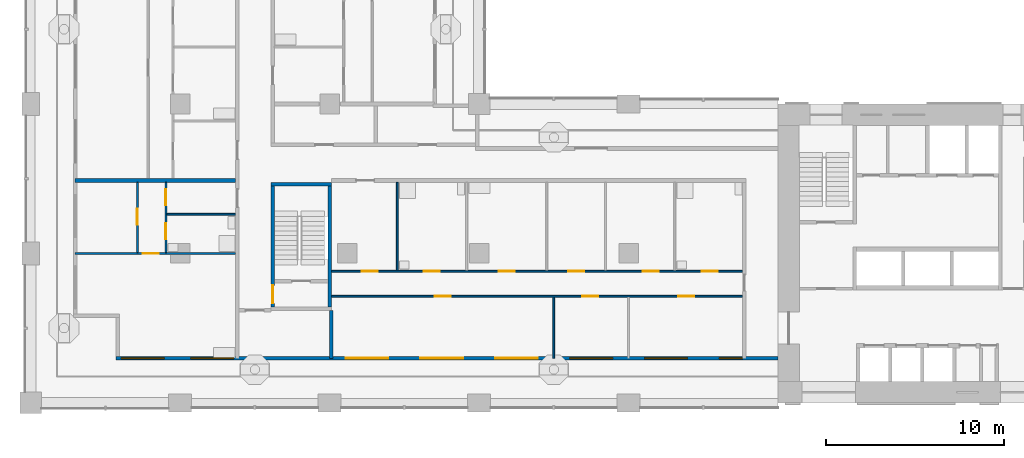
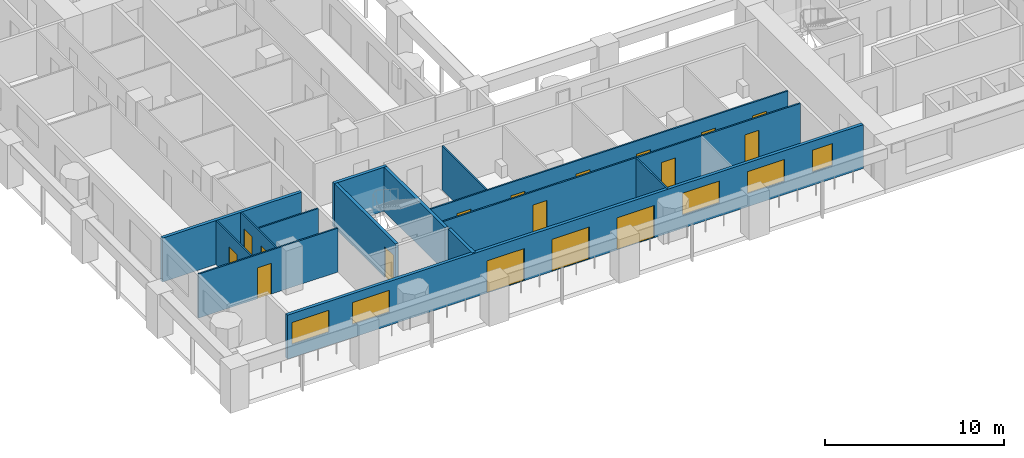
# One storey, part 2 of 18: 17 doors, 14 walls, 5 windows, 22 openings.
"""IFC4 building model written with IfcOpenShell, lengths in metres."""

from ifc_helpers import new_model, si_unit, direction, frame, frame_2d, origin, place, context, subcontext, project, spatial, rectangle, extrude, material, layer, layer_set, type_object, element, fill, save


model = new_model("IFC4")

# Units and contexts
model_context = context("Model", 3, precision=1e-05, world=origin(), true_north=direction((0.0, 1.0)))
body_context = subcontext(model_context, "Body", "Model", "MODEL_VIEW")
ifc_project = project(units=[si_unit("LENGTHUNIT", "METRE"), si_unit("AREAUNIT", "SQUARE_METRE"), si_unit("VOLUMEUNIT", "CUBIC_METRE"), si_unit("PLANEANGLEUNIT", "RADIAN"), si_unit("MASSUNIT", "GRAM", prefix="KILO")], contexts=[model_context])

# Site, building, storey
site_placement = place(None, origin())
site = spatial("IfcSite", under=ifc_project, at=site_placement, CompositionType="ELEMENT")
building_placement = place(site_placement, origin())
building = spatial("IfcBuilding", under=site, at=building_placement, Name="Vermilion Gate Residences", CompositionType="ELEMENT")
storey_placement = place(building_placement, frame((0.0, 0.0, 137.199951171875)))
storey = spatial("IfcBuildingStorey", under=building, at=storey_placement, Name="L35", CompositionType="ELEMENT", Elevation=137.199951171875)

# Wall, openings, doors, windows
ifc_material_1 = material(Name="Insulated steel stud wall with terracotta rainscreen", Category="masonry")
ifc_layer_1 = layer(ifc_material_1, 0.199951171875)
ifc_layer_set_1 = layer_set([ifc_layer_1], Name="EXTERNAL WALL 200 TERRACOTTA RAINSCREEN")
wall_type_1 = type_object("IfcWallType", Name="EXTERNAL WALL 200 TERRACOTTA RAINSCREEN", PredefinedType="SOLIDWALL", material=ifc_layer_set_1)
wall_1_placement = place(storey_placement, frame((4.800048828125, 10.89990234375, 0.0), z_axis=(0.0, 0.0, 1.0), x_axis=(1.0, 0.0, 0.0)))
wall_1 = element("IfcWall", 1, at=wall_1_placement, inside=storey, type_object=wall_type_1, Name="External wall", PredefinedType="SOLIDWALL", context=body_context, shape_type="SweptSolid", body=[
    extrude(rectangle(XDim=37.199951171875, YDim=0.199951171875, at=frame_2d((18.60009765625, 0.0))), origin(), (0.0, 0.0, 1.0), 3.0),
])
opening_1_placement = place(wall_1_placement, frame((0.300048828125, 0.0, 0.89990234375)))
opening_1 = element("IfcOpeningElement", 2, at=opening_1_placement, cuts=wall_1, Name="Opening WE35012", PredefinedType="OPENING", context=body_context, shape_type="SweptSolid", body=[
    extrude(rectangle(XDim=2.39990234375, YDim=1.5, at=frame_2d((1.199951171875, 0.75))), frame((0.0, 0.10986328125, 0.0), z_axis=(0.0, -1.0, 0.0), x_axis=(1.0, 0.0, 0.0)), (0.0, 0.0, 1.0), 0.219970703125),
])
opening_2_placement = place(wall_1_placement, frame((4.199951171875, 0.0, 0.89990234375)))
opening_2 = element("IfcOpeningElement", 3, at=opening_2_placement, cuts=wall_1, Name="Opening WE35013", PredefinedType="OPENING", context=body_context, shape_type="SweptSolid", body=[
    extrude(rectangle(XDim=2.39990234375, YDim=1.5, at=frame_2d((1.199951171875, 0.75))), frame((0.0, 0.10986328125, 0.0), z_axis=(0.0, -1.0, 0.0), x_axis=(1.0, 0.0, 0.0)), (0.0, 0.0, 1.0), 0.219970703125),
])
opening_3_placement = place(wall_1_placement, frame((12.89990234375, 0.0, 0.0)))
opening_3 = element("IfcOpeningElement", 4, at=opening_3_placement, cuts=wall_1, Name="Opening DE35014", PredefinedType="OPENING", context=body_context, shape_type="SweptSolid", body=[
    extrude(rectangle(XDim=2.39990234375, YDim=2.199951171875, at=frame_2d((1.199951171875, 1.10009765625))), frame((0.0, 0.10986328125, 0.0), z_axis=(0.0, -1.0, 0.0), x_axis=(1.0, 0.0, 0.0)), (0.0, 0.0, 1.0), 0.219970703125),
])
opening_4_placement = place(wall_1_placement, frame((17.10009765625, 0.0, 0.0)))
opening_4 = element("IfcOpeningElement", 5, at=opening_4_placement, cuts=wall_1, Name="Opening DE35015", PredefinedType="OPENING", context=body_context, shape_type="SweptSolid", body=[
    extrude(rectangle(XDim=2.39990234375, YDim=2.199951171875, at=frame_2d((1.199951171875, 1.10009765625))), frame((0.0, 0.10986328125, 0.0), z_axis=(0.0, -1.0, 0.0), x_axis=(1.0, 0.0, 0.0)), (0.0, 0.0, 1.0), 0.219970703125),
])
opening_5_placement = place(wall_1_placement, frame((21.300048828125, 0.0, 0.0)))
opening_5 = element("IfcOpeningElement", 6, at=opening_5_placement, cuts=wall_1, Name="Opening DE35016", PredefinedType="OPENING", context=body_context, shape_type="SweptSolid", body=[
    extrude(rectangle(XDim=2.39990234375, YDim=2.199951171875, at=frame_2d((1.199951171875, 1.10009765625))), frame((0.0, 0.10986328125, 0.0), z_axis=(0.0, -1.0, 0.0), x_axis=(1.0, 0.0, 0.0)), (0.0, 0.0, 1.0), 0.219970703125),
])
opening_6_placement = place(wall_1_placement, frame((25.5, 0.0, 0.89990234375)))
opening_6 = element("IfcOpeningElement", 7, at=opening_6_placement, cuts=wall_1, Name="Opening WE35017", PredefinedType="OPENING", context=body_context, shape_type="SweptSolid", body=[
    extrude(rectangle(XDim=2.39990234375, YDim=1.5, at=frame_2d((1.199951171875, 0.75))), frame((0.0, 0.10986328125, 0.0), z_axis=(0.0, -1.0, 0.0), x_axis=(1.0, 0.0, 0.0)), (0.0, 0.0, 1.0), 0.219970703125),
])
opening_7_placement = place(wall_1_placement, frame((29.699951171875, 0.0, 0.89990234375)))
opening_7 = element("IfcOpeningElement", 8, at=opening_7_placement, cuts=wall_1, Name="Opening WE35018", PredefinedType="OPENING", context=body_context, shape_type="SweptSolid", body=[
    extrude(rectangle(XDim=2.39990234375, YDim=1.5, at=frame_2d((1.199951171875, 0.75))), frame((0.0, 0.10986328125, 0.0), z_axis=(0.0, -1.0, 0.0), x_axis=(1.0, 0.0, 0.0)), (0.0, 0.0, 1.0), 0.219970703125),
])
opening_8_placement = place(wall_1_placement, frame((33.89990234375, 0.0, 0.89990234375)))
opening_8 = element("IfcOpeningElement", 9, at=opening_8_placement, cuts=wall_1, Name="Opening WE35019", PredefinedType="OPENING", context=body_context, shape_type="SweptSolid", body=[
    extrude(rectangle(XDim=1.300048828125, YDim=1.5, at=frame_2d((0.64990234375, 0.75))), frame((0.0, 0.10986328125, 0.0), z_axis=(0.0, -1.0, 0.0), x_axis=(1.0, 0.0, 0.0)), (0.0, 0.0, 1.0), 0.219970703125),
])
ifc_material_2 = material(Name="Aluminium and clear glass", Category="aluminium")
door_type_1 = type_object("IfcDoorType", Name="SLIDING GLAZED DOOR 2400 X 2200", OperationType="DOUBLE_DOOR_SLIDING", PredefinedType="DOOR", material=ifc_material_2)
door_1_placement = place(opening_3_placement, origin())
door_1 = element("IfcDoor", 10, at=door_1_placement, inside=storey, type_object=door_type_1, Name="Loggia sliding door", OperationType="DOUBLE_DOOR_SLIDING", OverallHeight=2.199951171875, OverallWidth=2.39990234375, PredefinedType="DOOR", context=body_context, shape_type="SweptSolid", body=[
    extrude(rectangle(XDim=2.39990234375, YDim=2.199951171875, at=frame_2d((1.199951171875, 1.10009765625))), frame((0.0, 0.02490234375, 0.0), z_axis=(0.0, -1.0, 0.0), x_axis=(1.0, 0.0, 0.0)), (0.0, 0.0, 1.0), 0.050048828125),
])
fill(opening_3, door_1)
door_2_placement = place(opening_4_placement, origin())
door_2 = element("IfcDoor", 11, at=door_2_placement, inside=storey, type_object=door_type_1, Name="Loggia sliding door", OperationType="DOUBLE_DOOR_SLIDING", OverallHeight=2.199951171875, OverallWidth=2.39990234375, PredefinedType="DOOR", context=body_context, shape_type="SweptSolid", body=[
    extrude(rectangle(XDim=2.39990234375, YDim=2.199951171875, at=frame_2d((1.199951171875, 1.10009765625))), frame((0.0, 0.02490234375, 0.0), z_axis=(0.0, -1.0, 0.0), x_axis=(1.0, 0.0, 0.0)), (0.0, 0.0, 1.0), 0.050048828125),
])
fill(opening_4, door_2)
door_3_placement = place(opening_5_placement, origin())
door_3 = element("IfcDoor", 12, at=door_3_placement, inside=storey, type_object=door_type_1, Name="Loggia sliding door", OperationType="DOUBLE_DOOR_SLIDING", OverallHeight=2.199951171875, OverallWidth=2.39990234375, PredefinedType="DOOR", context=body_context, shape_type="SweptSolid", body=[
    extrude(rectangle(XDim=2.39990234375, YDim=2.199951171875, at=frame_2d((1.199951171875, 1.10009765625))), frame((0.0, 0.02490234375, 0.0), z_axis=(0.0, -1.0, 0.0), x_axis=(1.0, 0.0, 0.0)), (0.0, 0.0, 1.0), 0.050048828125),
])
fill(opening_5, door_3)
ifc_material_3 = material(Name="Aluminium and clear glass", Category="aluminium")
window_type_1 = type_object("IfcWindowType", Name="WINDOW 1300 X 1500", PartitioningType="SINGLE_PANEL", PredefinedType="WINDOW", material=ifc_material_3)
window_1_placement = place(opening_8_placement, origin())
window_1 = element("IfcWindow", 13, at=window_1_placement, inside=storey, type_object=window_type_1, Name="Window", OverallHeight=1.5, OverallWidth=1.300048828125, PartitioningType="SINGLE_PANEL", PredefinedType="WINDOW", context=body_context, shape_type="SweptSolid", body=[
    extrude(rectangle(XDim=1.300048828125, YDim=1.5, at=frame_2d((0.64990234375, 0.75))), frame((0.0, 0.030029296875, 0.0), z_axis=(0.0, -1.0, 0.0), x_axis=(1.0, 0.0, 0.0)), (0.0, 0.0, 1.0), 0.06005859375),
])
fill(opening_8, window_1)
ifc_material_4 = material(Name="Aluminium and clear glass", Category="aluminium")
window_type_2 = type_object("IfcWindowType", Name="WINDOW 2400 X 1500", PartitioningType="SINGLE_PANEL", PredefinedType="WINDOW", material=ifc_material_4)
window_2_placement = place(opening_1_placement, origin())
window_2 = element("IfcWindow", 14, at=window_2_placement, inside=storey, type_object=window_type_2, Name="Window", OverallHeight=1.5, OverallWidth=2.39990234375, PartitioningType="SINGLE_PANEL", PredefinedType="WINDOW", context=body_context, shape_type="SweptSolid", body=[
    extrude(rectangle(XDim=2.39990234375, YDim=1.5, at=frame_2d((1.199951171875, 0.75))), frame((0.0, 0.030029296875, 0.0), z_axis=(0.0, -1.0, 0.0), x_axis=(1.0, 0.0, 0.0)), (0.0, 0.0, 1.0), 0.06005859375),
])
fill(opening_1, window_2)
window_3_placement = place(opening_2_placement, origin())
window_3 = element("IfcWindow", 15, at=window_3_placement, inside=storey, type_object=window_type_2, Name="Window", OverallHeight=1.5, OverallWidth=2.39990234375, PartitioningType="SINGLE_PANEL", PredefinedType="WINDOW", context=body_context, shape_type="SweptSolid", body=[
    extrude(rectangle(XDim=2.39990234375, YDim=1.5, at=frame_2d((1.199951171875, 0.75))), frame((0.0, 0.030029296875, 0.0), z_axis=(0.0, -1.0, 0.0), x_axis=(1.0, 0.0, 0.0)), (0.0, 0.0, 1.0), 0.06005859375),
])
fill(opening_2, window_3)
window_4_placement = place(opening_6_placement, origin())
window_4 = element("IfcWindow", 16, at=window_4_placement, inside=storey, type_object=window_type_2, Name="Window", OverallHeight=1.5, OverallWidth=2.39990234375, PartitioningType="SINGLE_PANEL", PredefinedType="WINDOW", context=body_context, shape_type="SweptSolid", body=[
    extrude(rectangle(XDim=2.39990234375, YDim=1.5, at=frame_2d((1.199951171875, 0.75))), frame((0.0, 0.030029296875, 0.0), z_axis=(0.0, -1.0, 0.0), x_axis=(1.0, 0.0, 0.0)), (0.0, 0.0, 1.0), 0.06005859375),
])
fill(opening_6, window_4)
window_5_placement = place(opening_7_placement, origin())
window_5 = element("IfcWindow", 17, at=window_5_placement, inside=storey, type_object=window_type_2, Name="Window", OverallHeight=1.5, OverallWidth=2.39990234375, PartitioningType="SINGLE_PANEL", PredefinedType="WINDOW", context=body_context, shape_type="SweptSolid", body=[
    extrude(rectangle(XDim=2.39990234375, YDim=1.5, at=frame_2d((1.199951171875, 0.75))), frame((0.0, 0.030029296875, 0.0), z_axis=(0.0, -1.0, 0.0), x_axis=(1.0, 0.0, 0.0)), (0.0, 0.0, 1.0), 0.06005859375),
])
fill(opening_7, window_5)

# Wall, openings, doors
ifc_material_5 = material(Name="Plasterboard on steel studs", Category="steel")
ifc_layer_2 = layer(ifc_material_5, 0.10009765625)
ifc_layer_set_2 = layer_set([ifc_layer_2], Name="PARTITION 100")
wall_type_2 = type_object("IfcWallType", Name="PARTITION 100", PredefinedType="PARTITIONING", material=ifc_layer_set_2)
wall_2_placement = place(storey_placement, frame((16.89990234375, 14.39990234375, 0.0), z_axis=(0.0, 0.0, 1.0), x_axis=(1.0, 0.0, 0.0)))
wall_2 = element("IfcWall", 18, at=wall_2_placement, inside=storey, type_object=wall_type_2, Name="Partition", PredefinedType="PARTITIONING", context=body_context, shape_type="SweptSolid", body=[
    extrude(rectangle(XDim=23.10009765625, YDim=0.10009765625, at=frame_2d((11.550048828125, 0.0))), origin(), (0.0, 0.0, 1.0), 3.0),
])
opening_9_placement = place(wall_2_placement, frame((5.800048828125, 0.0, 0.0)))
opening_9 = element("IfcOpeningElement", 19, at=opening_9_placement, cuts=wall_2, Name="Opening DA34002", PredefinedType="OPENING", context=body_context, shape_type="SweptSolid", body=[
    extrude(rectangle(XDim=0.89990234375, YDim=2.10009765625, at=frame_2d((0.449951171875, 1.050048828125))), frame((0.0, 0.06005859375, 0.0), z_axis=(0.0, -1.0, 0.0), x_axis=(1.0, 0.0, 0.0)), (0.0, 0.0, 1.0), 0.1201171875),
])
opening_10_placement = place(wall_2_placement, frame((14.10009765625, 0.0, 0.0)))
opening_10 = element("IfcOpeningElement", 20, at=opening_10_placement, cuts=wall_2, Name="Opening DA34003", PredefinedType="OPENING", context=body_context, shape_type="SweptSolid", body=[
    extrude(rectangle(XDim=0.89990234375, YDim=2.10009765625, at=frame_2d((0.449951171875, 1.050048828125))), frame((0.0, 0.06005859375, 0.0), z_axis=(0.0, -1.0, 0.0), x_axis=(1.0, 0.0, 0.0)), (0.0, 0.0, 1.0), 0.1201171875),
])
opening_11_placement = place(wall_2_placement, frame((19.5, 0.0, 0.0)))
opening_11 = element("IfcOpeningElement", 21, at=opening_11_placement, cuts=wall_2, Name="Opening DA34004", PredefinedType="OPENING", context=body_context, shape_type="SweptSolid", body=[
    extrude(rectangle(XDim=0.89990234375, YDim=2.10009765625, at=frame_2d((0.449951171875, 1.050048828125))), frame((0.0, 0.06005859375, 0.0), z_axis=(0.0, -1.0, 0.0), x_axis=(1.0, 0.0, 0.0)), (0.0, 0.0, 1.0), 0.1201171875),
])
ifc_material_6 = material(Name="Timber", Category="wood")
door_type_2 = type_object("IfcDoorType", Name="INTERIOR DOOR 900 X 2100", OperationType="SINGLE_SWING_LEFT", PredefinedType="DOOR", material=ifc_material_6)
door_4_placement = place(opening_9_placement, frame((0.89990234375, 0.0, 0.0), z_axis=(0.0, 0.0, 1.0), x_axis=(-1.0, 0.0, 0.0)))
door_4 = element("IfcDoor", 22, at=door_4_placement, inside=storey, type_object=door_type_2, Name="Interior door", OperationType="SINGLE_SWING_RIGHT", OverallHeight=2.10009765625, OverallWidth=0.89990234375, PredefinedType="DOOR", context=body_context, shape_type="SweptSolid", body=[
    extrude(rectangle(XDim=0.89990234375, YDim=2.10009765625, at=frame_2d((0.449951171875, 1.050048828125))), frame((0.0, 0.02490234375, 0.0), z_axis=(0.0, -1.0, 0.0), x_axis=(1.0, 0.0, 0.0)), (0.0, 0.0, 1.0), 0.050048828125),
])
fill(opening_9, door_4)
door_5_placement = place(opening_10_placement, frame((0.89990234375, 0.0, 0.0), z_axis=(0.0, 0.0, 1.0), x_axis=(-1.0, 0.0, 0.0)))
door_5 = element("IfcDoor", 23, at=door_5_placement, inside=storey, type_object=door_type_2, Name="Interior door", OperationType="SINGLE_SWING_RIGHT", OverallHeight=2.10009765625, OverallWidth=0.89990234375, PredefinedType="DOOR", context=body_context, shape_type="SweptSolid", body=[
    extrude(rectangle(XDim=0.89990234375, YDim=2.10009765625, at=frame_2d((0.449951171875, 1.050048828125))), frame((0.0, 0.02490234375, 0.0), z_axis=(0.0, -1.0, 0.0), x_axis=(1.0, 0.0, 0.0)), (0.0, 0.0, 1.0), 0.050048828125),
])
fill(opening_10, door_5)
door_6_placement = place(opening_11_placement, frame((0.89990234375, 0.0, 0.0), z_axis=(0.0, 0.0, 1.0), x_axis=(-1.0, 0.0, 0.0)))
door_6 = element("IfcDoor", 24, at=door_6_placement, inside=storey, type_object=door_type_2, Name="Interior door", OperationType="SINGLE_SWING_LEFT", OverallHeight=2.10009765625, OverallWidth=0.89990234375, PredefinedType="DOOR", context=body_context, shape_type="SweptSolid", body=[
    extrude(rectangle(XDim=0.89990234375, YDim=2.10009765625, at=frame_2d((0.449951171875, 1.050048828125))), frame((0.0, 0.02490234375, 0.0), z_axis=(0.0, -1.0, 0.0), x_axis=(1.0, 0.0, 0.0)), (0.0, 0.0, 1.0), 0.050048828125),
])
fill(opening_11, door_6)

wall_3_placement = place(storey_placement, frame((16.89990234375, 15.800048828125, 0.0), z_axis=(0.0, 0.0, 1.0), x_axis=(1.0, 0.0, 0.0)))
wall_3 = element("IfcWall", 25, at=wall_3_placement, inside=storey, type_object=wall_type_2, Name="Partition", PredefinedType="PARTITIONING", context=body_context, shape_type="SweptSolid", body=[
    extrude(rectangle(XDim=23.10009765625, YDim=0.10009765625, at=frame_2d((11.550048828125, 0.0))), origin(), (0.0, 0.0, 1.0), 3.0),
])
opening_12_placement = place(wall_3_placement, frame((1.699951171875, 0.0, 0.0)))
opening_12 = element("IfcOpeningElement", 26, at=opening_12_placement, cuts=wall_3, Name="Opening DA34005", PredefinedType="OPENING", context=body_context, shape_type="SweptSolid", body=[
    extrude(rectangle(XDim=0.89990234375, YDim=2.10009765625, at=frame_2d((0.449951171875, 1.050048828125))), frame((0.0, 0.06005859375, 0.0), z_axis=(0.0, -1.0, 0.0), x_axis=(1.0, 0.0, 0.0)), (0.0, 0.0, 1.0), 0.1201171875),
])
opening_13_placement = place(wall_3_placement, frame((5.199951171875, 0.0, 0.0)))
opening_13 = element("IfcOpeningElement", 27, at=opening_13_placement, cuts=wall_3, Name="Opening DA34006", PredefinedType="OPENING", context=body_context, shape_type="SweptSolid", body=[
    extrude(rectangle(XDim=0.89990234375, YDim=2.10009765625, at=frame_2d((0.449951171875, 1.050048828125))), frame((0.0, 0.06005859375, 0.0), z_axis=(0.0, -1.0, 0.0), x_axis=(1.0, 0.0, 0.0)), (0.0, 0.0, 1.0), 0.1201171875),
])
opening_14_placement = place(wall_3_placement, frame((9.39990234375, 0.0, 0.0)))
opening_14 = element("IfcOpeningElement", 28, at=opening_14_placement, cuts=wall_3, Name="Opening DA34007", PredefinedType="OPENING", context=body_context, shape_type="SweptSolid", body=[
    extrude(rectangle(XDim=0.89990234375, YDim=2.10009765625, at=frame_2d((0.449951171875, 1.050048828125))), frame((0.0, 0.06005859375, 0.0), z_axis=(0.0, -1.0, 0.0), x_axis=(1.0, 0.0, 0.0)), (0.0, 0.0, 1.0), 0.1201171875),
])
opening_15_placement = place(wall_3_placement, frame((13.300048828125, 0.0, 0.0)))
opening_15 = element("IfcOpeningElement", 29, at=opening_15_placement, cuts=wall_3, Name="Opening DA34008", PredefinedType="OPENING", context=body_context, shape_type="SweptSolid", body=[
    extrude(rectangle(XDim=0.89990234375, YDim=2.10009765625, at=frame_2d((0.449951171875, 1.050048828125))), frame((0.0, 0.06005859375, 0.0), z_axis=(0.0, -1.0, 0.0), x_axis=(1.0, 0.0, 0.0)), (0.0, 0.0, 1.0), 0.1201171875),
])
opening_16_placement = place(wall_3_placement, frame((17.5, 0.0, 0.0)))
opening_16 = element("IfcOpeningElement", 30, at=opening_16_placement, cuts=wall_3, Name="Opening DA34009", PredefinedType="OPENING", context=body_context, shape_type="SweptSolid", body=[
    extrude(rectangle(XDim=0.89990234375, YDim=2.10009765625, at=frame_2d((0.449951171875, 1.050048828125))), frame((0.0, 0.06005859375, 0.0), z_axis=(0.0, -1.0, 0.0), x_axis=(1.0, 0.0, 0.0)), (0.0, 0.0, 1.0), 0.1201171875),
])
opening_17_placement = place(wall_3_placement, frame((20.800048828125, 0.0, 0.0)))
opening_17 = element("IfcOpeningElement", 31, at=opening_17_placement, cuts=wall_3, Name="Opening DA34010", PredefinedType="OPENING", context=body_context, shape_type="SweptSolid", body=[
    extrude(rectangle(XDim=0.89990234375, YDim=2.10009765625, at=frame_2d((0.449951171875, 1.050048828125))), frame((0.0, 0.06005859375, 0.0), z_axis=(0.0, -1.0, 0.0), x_axis=(1.0, 0.0, 0.0)), (0.0, 0.0, 1.0), 0.1201171875),
])
door_7_placement = place(opening_12_placement, origin())
door_7 = element("IfcDoor", 32, at=door_7_placement, inside=storey, type_object=door_type_2, Name="Interior door", OperationType="SINGLE_SWING_RIGHT", OverallHeight=2.10009765625, OverallWidth=0.89990234375, PredefinedType="DOOR", context=body_context, shape_type="SweptSolid", body=[
    extrude(rectangle(XDim=0.89990234375, YDim=2.10009765625, at=frame_2d((0.449951171875, 1.050048828125))), frame((0.0, 0.02490234375, 0.0), z_axis=(0.0, -1.0, 0.0), x_axis=(1.0, 0.0, 0.0)), (0.0, 0.0, 1.0), 0.050048828125),
])
fill(opening_12, door_7)
door_8_placement = place(opening_13_placement, origin())
door_8 = element("IfcDoor", 33, at=door_8_placement, inside=storey, type_object=door_type_2, Name="Interior door", OperationType="SINGLE_SWING_LEFT", OverallHeight=2.10009765625, OverallWidth=0.89990234375, PredefinedType="DOOR", context=body_context, shape_type="SweptSolid", body=[
    extrude(rectangle(XDim=0.89990234375, YDim=2.10009765625, at=frame_2d((0.449951171875, 1.050048828125))), frame((0.0, 0.02490234375, 0.0), z_axis=(0.0, -1.0, 0.0), x_axis=(1.0, 0.0, 0.0)), (0.0, 0.0, 1.0), 0.050048828125),
])
fill(opening_13, door_8)
door_9_placement = place(opening_14_placement, origin())
door_9 = element("IfcDoor", 34, at=door_9_placement, inside=storey, type_object=door_type_2, Name="Interior door", OperationType="SINGLE_SWING_LEFT", OverallHeight=2.10009765625, OverallWidth=0.89990234375, PredefinedType="DOOR", context=body_context, shape_type="SweptSolid", body=[
    extrude(rectangle(XDim=0.89990234375, YDim=2.10009765625, at=frame_2d((0.449951171875, 1.050048828125))), frame((0.0, 0.02490234375, 0.0), z_axis=(0.0, -1.0, 0.0), x_axis=(1.0, 0.0, 0.0)), (0.0, 0.0, 1.0), 0.050048828125),
])
fill(opening_14, door_9)
door_10_placement = place(opening_15_placement, origin())
door_10 = element("IfcDoor", 35, at=door_10_placement, inside=storey, type_object=door_type_2, Name="Interior door", OperationType="SINGLE_SWING_LEFT", OverallHeight=2.10009765625, OverallWidth=0.89990234375, PredefinedType="DOOR", context=body_context, shape_type="SweptSolid", body=[
    extrude(rectangle(XDim=0.89990234375, YDim=2.10009765625, at=frame_2d((0.449951171875, 1.050048828125))), frame((0.0, 0.02490234375, 0.0), z_axis=(0.0, -1.0, 0.0), x_axis=(1.0, 0.0, 0.0)), (0.0, 0.0, 1.0), 0.050048828125),
])
fill(opening_15, door_10)
door_11_placement = place(opening_16_placement, origin())
door_11 = element("IfcDoor", 36, at=door_11_placement, inside=storey, type_object=door_type_2, Name="Interior door", OperationType="SINGLE_SWING_RIGHT", OverallHeight=2.10009765625, OverallWidth=0.89990234375, PredefinedType="DOOR", context=body_context, shape_type="SweptSolid", body=[
    extrude(rectangle(XDim=0.89990234375, YDim=2.10009765625, at=frame_2d((0.449951171875, 1.050048828125))), frame((0.0, 0.02490234375, 0.0), z_axis=(0.0, -1.0, 0.0), x_axis=(1.0, 0.0, 0.0)), (0.0, 0.0, 1.0), 0.050048828125),
])
fill(opening_16, door_11)
door_12_placement = place(opening_17_placement, origin())
door_12 = element("IfcDoor", 37, at=door_12_placement, inside=storey, type_object=door_type_2, Name="Interior door", OperationType="SINGLE_SWING_LEFT", OverallHeight=2.10009765625, OverallWidth=0.89990234375, PredefinedType="DOOR", context=body_context, shape_type="SweptSolid", body=[
    extrude(rectangle(XDim=0.89990234375, YDim=2.10009765625, at=frame_2d((0.449951171875, 1.050048828125))), frame((0.0, 0.02490234375, 0.0), z_axis=(0.0, -1.0, 0.0), x_axis=(1.0, 0.0, 0.0)), (0.0, 0.0, 1.0), 0.050048828125),
])
fill(opening_17, door_12)

# Wall, opening, door
wall_4_placement = place(storey_placement, frame((2.5, 16.800048828125, 0.0), z_axis=(0.0, 0.0, 1.0), x_axis=(1.0, 0.0, 0.0)))
wall_4 = element("IfcWall", 38, at=wall_4_placement, inside=storey, type_object=wall_type_2, Name="Partition", PredefinedType="PARTITIONING", context=body_context, shape_type="SweptSolid", body=[
    extrude(rectangle(XDim=9.0, YDim=0.10009765625, at=frame_2d((4.5, 0.0))), origin(), (0.0, 0.0, 1.0), 3.0),
])
opening_18_placement = place(wall_4_placement, frame((3.800048828125, 0.0, 0.0)))
opening_18 = element("IfcOpeningElement", 39, at=opening_18_placement, cuts=wall_4, Name="Opening DA34011", PredefinedType="OPENING", context=body_context, shape_type="SweptSolid", body=[
    extrude(rectangle(XDim=0.89990234375, YDim=2.10009765625, at=frame_2d((0.449951171875, 1.050048828125))), frame((0.0, 0.06005859375, 0.0), z_axis=(0.0, -1.0, 0.0), x_axis=(1.0, 0.0, 0.0)), (0.0, 0.0, 1.0), 0.1201171875),
])
door_13_placement = place(opening_18_placement, frame((0.89990234375, 0.0, 0.0), z_axis=(0.0, 0.0, 1.0), x_axis=(-1.0, 0.0, 0.0)))
door_13 = element("IfcDoor", 40, at=door_13_placement, inside=storey, type_object=door_type_2, Name="Interior door", OperationType="SINGLE_SWING_LEFT", OverallHeight=2.10009765625, OverallWidth=0.89990234375, PredefinedType="DOOR", context=body_context, shape_type="SweptSolid", body=[
    extrude(rectangle(XDim=0.89990234375, YDim=2.10009765625, at=frame_2d((0.449951171875, 1.050048828125))), frame((0.0, 0.02490234375, 0.0), z_axis=(0.0, -1.0, 0.0), x_axis=(1.0, 0.0, 0.0)), (0.0, 0.0, 1.0), 0.050048828125),
])
fill(opening_18, door_13)

# Wall
wall_5_placement = place(storey_placement, frame((7.64990234375, 19.0, 0.0), z_axis=(0.0, 0.0, 1.0), x_axis=(1.0, 0.0, 0.0)))
element("IfcWall", 41, at=wall_5_placement, inside=storey, type_object=wall_type_2, Name="Partition", PredefinedType="PARTITIONING", context=body_context, shape_type="SweptSolid", body=[
    extrude(rectangle(XDim=3.85009765625, YDim=0.10009765625, at=frame_2d((1.925048828125, 0.0))), origin(), (0.0, 0.0, 1.0), 3.0),
])

# Wall, opening, door
wall_6_placement = place(storey_placement, frame((6.0, 16.85009765625, 0.0), z_axis=(0.0, 0.0, 1.0), x_axis=(0.0, 1.0, 0.0)))
wall_6 = element("IfcWall", 42, at=wall_6_placement, inside=storey, type_object=wall_type_2, Name="Partition", PredefinedType="PARTITIONING", context=body_context, shape_type="SweptSolid", body=[
    extrude(rectangle(XDim=3.949951171875, YDim=0.10009765625, at=frame_2d((1.97509765625, 0.0))), origin(), (0.0, 0.0, 1.0), 3.0),
])
opening_19_placement = place(wall_6_placement, frame((1.550048828125, 0.0, 0.0)))
opening_19 = element("IfcOpeningElement", 43, at=opening_19_placement, cuts=wall_6, Name="Opening DA34015", PredefinedType="OPENING", context=body_context, shape_type="SweptSolid", body=[
    extrude(rectangle(XDim=0.89990234375, YDim=2.10009765625, at=frame_2d((0.449951171875, 1.050048828125))), frame((0.0, 0.06005859375, 0.0), z_axis=(0.0, -1.0, 0.0), x_axis=(1.0, 0.0, 0.0)), (0.0, 0.0, 1.0), 0.1201171875),
])
door_14_placement = place(opening_19_placement, origin())
door_14 = element("IfcDoor", 44, at=door_14_placement, inside=storey, type_object=door_type_2, Name="Interior door", OperationType="SINGLE_SWING_RIGHT", OverallHeight=2.10009765625, OverallWidth=0.89990234375, PredefinedType="DOOR", context=body_context, shape_type="SweptSolid", body=[
    extrude(rectangle(XDim=0.89990234375, YDim=2.10009765625, at=frame_2d((0.449951171875, 1.050048828125))), frame((0.0, 0.02490234375, 0.0), z_axis=(0.0, -1.0, 0.0), x_axis=(1.0, 0.0, 0.0)), (0.0, 0.0, 1.0), 0.050048828125),
])
fill(opening_19, door_14)

# Wall, openings, doors
wall_7_placement = place(storey_placement, frame((7.60009765625, 16.85009765625, 0.0), z_axis=(0.0, 0.0, 1.0), x_axis=(0.0, 1.0, 0.0)))
wall_7 = element("IfcWall", 45, at=wall_7_placement, inside=storey, type_object=wall_type_2, Name="Partition", PredefinedType="PARTITIONING", context=body_context, shape_type="SweptSolid", body=[
    extrude(rectangle(XDim=3.949951171875, YDim=0.10009765625, at=frame_2d((1.97509765625, 0.0))), origin(), (0.0, 0.0, 1.0), 3.0),
])
opening_20_placement = place(wall_7_placement, frame((2.64990234375, 0.0, 0.0)))
opening_20 = element("IfcOpeningElement", 46, at=opening_20_placement, cuts=wall_7, Name="Opening DA34022", PredefinedType="OPENING", context=body_context, shape_type="SweptSolid", body=[
    extrude(rectangle(XDim=0.89990234375, YDim=2.10009765625, at=frame_2d((0.449951171875, 1.050048828125))), frame((0.0, 0.06005859375, 0.0), z_axis=(0.0, -1.0, 0.0), x_axis=(1.0, 0.0, 0.0)), (0.0, 0.0, 1.0), 0.1201171875),
])
opening_21_placement = place(wall_7_placement, frame((0.75, 0.0, 0.0)))
opening_21 = element("IfcOpeningElement", 47, at=opening_21_placement, cuts=wall_7, Name="Opening DA34023", PredefinedType="OPENING", context=body_context, shape_type="SweptSolid", body=[
    extrude(rectangle(XDim=0.89990234375, YDim=2.10009765625, at=frame_2d((0.449951171875, 1.050048828125))), frame((0.0, 0.06005859375, 0.0), z_axis=(0.0, -1.0, 0.0), x_axis=(1.0, 0.0, 0.0)), (0.0, 0.0, 1.0), 0.1201171875),
])
door_15_placement = place(opening_20_placement, origin())
door_15 = element("IfcDoor", 48, at=door_15_placement, inside=storey, type_object=door_type_2, Name="Interior door", OperationType="SINGLE_SWING_RIGHT", OverallHeight=2.10009765625, OverallWidth=0.89990234375, PredefinedType="DOOR", context=body_context, shape_type="SweptSolid", body=[
    extrude(rectangle(XDim=0.89990234375, YDim=2.10009765625, at=frame_2d((0.449951171875, 1.050048828125))), frame((0.0, 0.02490234375, 0.0), z_axis=(0.0, -1.0, 0.0), x_axis=(1.0, 0.0, 0.0)), (0.0, 0.0, 1.0), 0.050048828125),
])
fill(opening_20, door_15)
door_16_placement = place(opening_21_placement, frame((0.89990234375, 0.0, 0.0), z_axis=(0.0, 0.0, 1.0), x_axis=(-1.0, 0.0, 0.0)))
door_16 = element("IfcDoor", 49, at=door_16_placement, inside=storey, type_object=door_type_2, Name="Interior door", OperationType="SINGLE_SWING_RIGHT", OverallHeight=2.10009765625, OverallWidth=0.89990234375, PredefinedType="DOOR", context=body_context, shape_type="SweptSolid", body=[
    extrude(rectangle(XDim=0.89990234375, YDim=2.10009765625, at=frame_2d((0.449951171875, 1.050048828125))), frame((0.0, 0.02490234375, 0.0), z_axis=(0.0, -1.0, 0.0), x_axis=(1.0, 0.0, 0.0)), (0.0, 0.0, 1.0), 0.050048828125),
])
fill(opening_21, door_16)

# Walls
wall_8_placement = place(storey_placement, frame((20.60009765625, 15.85009765625, 0.0), z_axis=(0.0, 0.0, 1.0), x_axis=(0.0, 1.0, 0.0)))
element("IfcWall", 50, at=wall_8_placement, inside=storey, type_object=wall_type_2, Name="Partition", PredefinedType="PARTITIONING", context=body_context, shape_type="SweptSolid", body=[
    extrude(rectangle(XDim=4.949951171875, YDim=0.10009765625, at=frame_2d((2.47509765625, 0.0))), origin(), (0.0, 0.0, 1.0), 3.0),
])
wall_9_placement = place(storey_placement, frame((29.39990234375, 10.89990234375, 0.0), z_axis=(0.0, 0.0, 1.0), x_axis=(0.0, 1.0, 0.0)))
element("IfcWall", 51, at=wall_9_placement, inside=storey, type_object=wall_type_2, Name="Partition", PredefinedType="PARTITIONING", context=body_context, shape_type="SweptSolid", body=[
    extrude(rectangle(XDim=3.4501953125, YDim=0.10009765625, at=frame_2d((1.72509765625, 0.0))), origin(), (0.0, 0.0, 1.0), 3.0),
])
ifc_material_7 = material(Name="Fire-rated plasterboard on steel studs", Category="steel")
ifc_layer_3 = layer(ifc_material_7, 0.199951171875)
ifc_layer_set_3 = layer_set([ifc_layer_3], Name="PARTY WALL 200 EI 120")
wall_type_3 = type_object("IfcWallType", Name="PARTY WALL 200 EI 120", PredefinedType="PARTITIONING", material=ifc_layer_set_3)
wall_10_placement = place(storey_placement, frame((2.5, 20.89990234375, 0.0), z_axis=(0.0, 0.0, 1.0), x_axis=(1.0, 0.0, 0.0)))
element("IfcWall", 52, at=wall_10_placement, inside=storey, type_object=wall_type_3, Name="Party and corridor wall", PredefinedType="PARTITIONING", context=body_context, shape_type="SweptSolid", body=[
    extrude(rectangle(XDim=9.0, YDim=0.199951171875, at=frame_2d((4.5, 0.0))), origin(), (0.0, 0.0, 1.0), 3.0),
])
wall_11_placement = place(storey_placement, frame((16.89990234375, 10.89990234375, 0.0), z_axis=(0.0, 0.0, 1.0), x_axis=(0.0, 1.0, 0.0)))
element("IfcWall", 53, at=wall_11_placement, inside=storey, type_object=wall_type_3, Name="Party and corridor wall", PredefinedType="PARTITIONING", context=body_context, shape_type="SweptSolid", body=[
    extrude(rectangle(XDim=2.7001953125, YDim=0.199951171875, at=frame_2d((1.35009765625, 0.0))), origin(), (0.0, 0.0, 1.0), 3.0),
])

# Wall, opening, door
ifc_material_8 = material(Name="Concrete C60", Category="concrete")
ifc_layer_4 = layer(ifc_material_8, 0.199951171875)
ifc_layer_set_4 = layer_set([ifc_layer_4], Name="RC CORE INTERNAL WALL 200 C60")
wall_type_4 = type_object("IfcWallType", Name="RC CORE INTERNAL WALL 200 C60", PredefinedType="SHEAR", material=ifc_layer_set_4)
wall_12_placement = place(storey_placement, frame((13.60009765625, 13.800048828125, 0.0), z_axis=(0.0, 0.0, 1.0), x_axis=(0.0, 1.0, 0.0)))
wall_12 = element("IfcWall", 54, at=wall_12_placement, inside=storey, type_object=wall_type_4, Name="Core internal wall C35-W", PredefinedType="SHEAR", context=body_context, shape_type="SweptSolid", body=[
    extrude(rectangle(XDim=6.800048828125, YDim=0.199951171875, at=frame_2d((3.39990234375, 0.0))), origin(), (0.0, 0.0, 1.0), 3.0),
])
opening_22_placement = place(wall_12_placement, frame((0.199951171875, 0.0, 0.0)))
opening_22 = element("IfcOpeningElement", 55, at=opening_22_placement, cuts=wall_12, Name="Opening DK35201", PredefinedType="OPENING", context=body_context, shape_type="SweptSolid", body=[
    extrude(rectangle(XDim=1.0, YDim=2.10009765625, at=frame_2d((0.5, 1.050048828125))), frame((0.0, 0.10986328125, 0.0), z_axis=(0.0, -1.0, 0.0), x_axis=(1.0, 0.0, 0.0)), (0.0, 0.0, 1.0), 0.219970703125),
])
ifc_material_9 = material(Name="Steel", Category="steel")
door_type_3 = type_object("IfcDoorType", Name="FIRE DOOR FD60 1000 X 2100", OperationType="SINGLE_SWING_LEFT", PredefinedType="DOOR", material=ifc_material_9)
door_17_placement = place(opening_22_placement, frame((1.0, 0.0, 0.0), z_axis=(0.0, 0.0, 1.0), x_axis=(-1.0, 0.0, 0.0)))
door_17 = element("IfcDoor", 56, at=door_17_placement, inside=storey, type_object=door_type_3, Name="Stair vestibule door C35", OperationType="SINGLE_SWING_LEFT", OverallHeight=2.10009765625, OverallWidth=1.0, PredefinedType="DOOR", context=body_context, shape_type="SweptSolid", body=[
    extrude(rectangle(XDim=1.0, YDim=2.10009765625, at=frame_2d((0.5, 1.050048828125))), frame((0.0, 0.02490234375, 0.0), z_axis=(0.0, -1.0, 0.0), x_axis=(1.0, 0.0, 0.0)), (0.0, 0.0, 1.0), 0.050048828125),
])
fill(opening_22, door_17)

# Walls
wall_13_placement = place(storey_placement, frame((16.800048828125, 13.800048828125, 0.0), z_axis=(0.0, 0.0, 1.0), x_axis=(0.0, 1.0, 0.0)))
element("IfcWall", 57, at=wall_13_placement, inside=storey, type_object=wall_type_4, Name="Core internal wall C35-E", PredefinedType="SHEAR", context=body_context, shape_type="SweptSolid", body=[
    extrude(rectangle(XDim=6.800048828125, YDim=0.199951171875, at=frame_2d((3.39990234375, 0.0))), origin(), (0.0, 0.0, 1.0), 3.0),
])
wall_14_placement = place(storey_placement, frame((13.5, 20.699951171875, 0.0), z_axis=(0.0, 0.0, 1.0), x_axis=(1.0, 0.0, 0.0)))
element("IfcWall", 58, at=wall_14_placement, inside=storey, type_object=wall_type_4, Name="Core internal wall C35-N", PredefinedType="SHEAR", context=body_context, shape_type="SweptSolid", body=[
    extrude(rectangle(XDim=3.39990234375, YDim=0.199951171875, at=frame_2d((1.699951171875, 0.0))), origin(), (0.0, 0.0, 1.0), 3.0),
])

save(model, "model.ifc")
